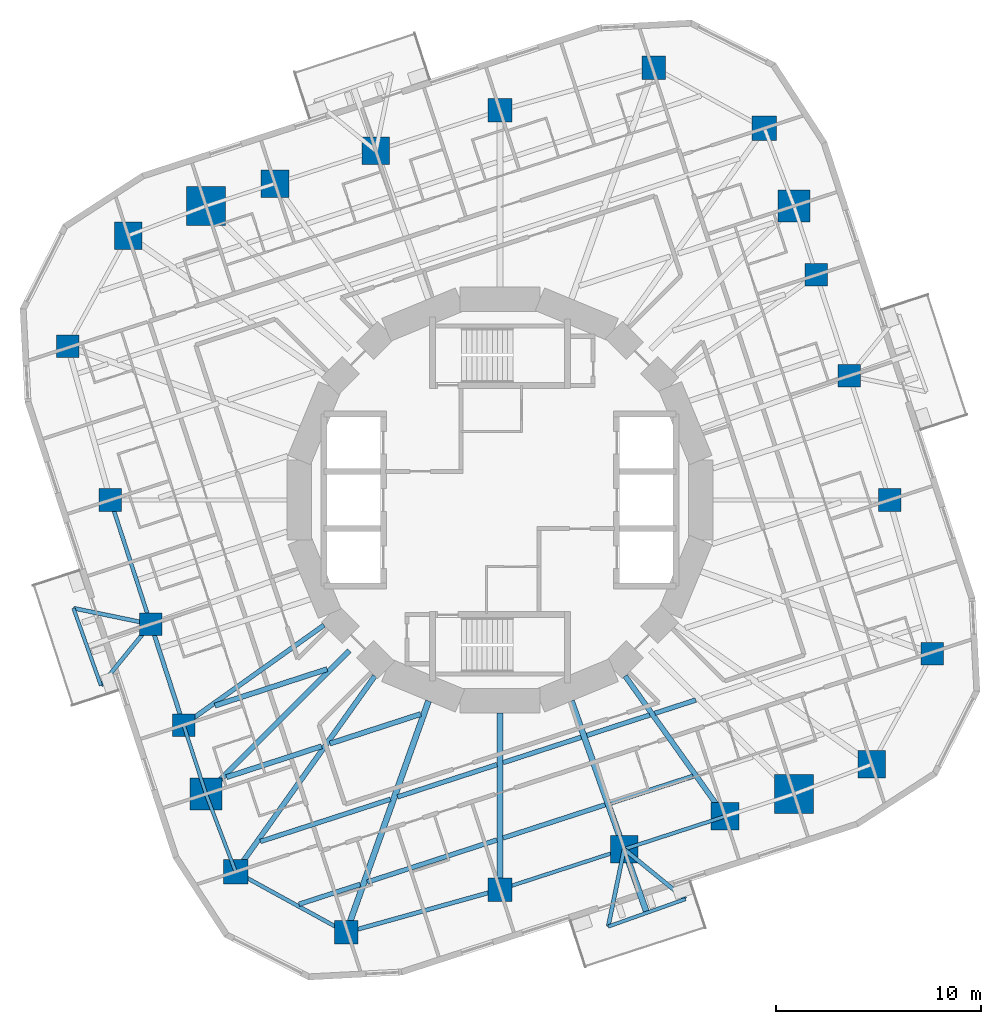
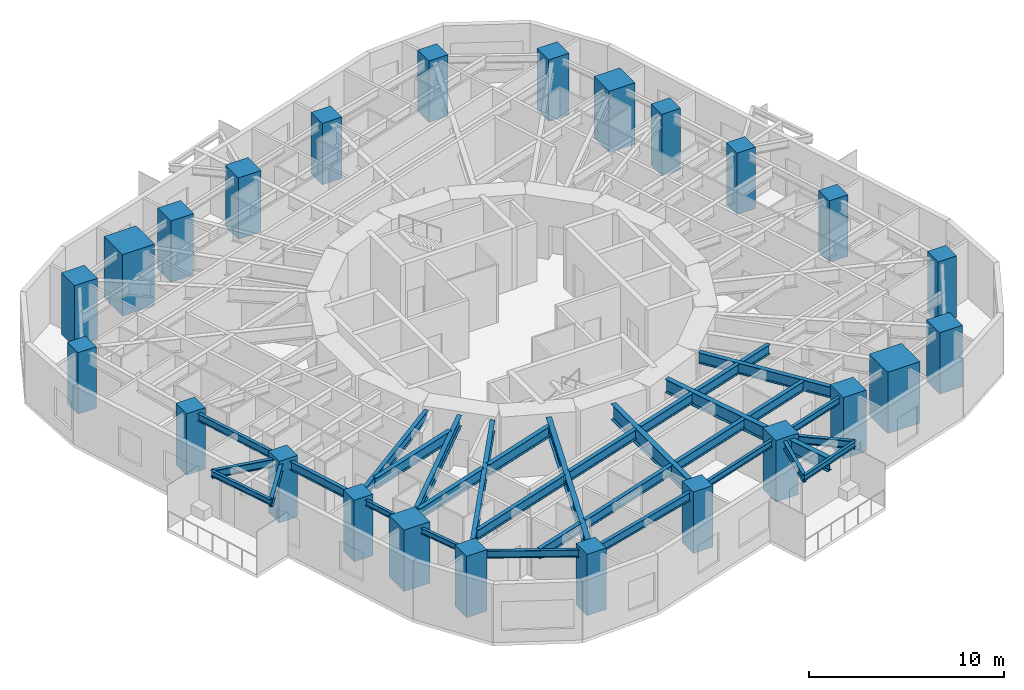
# One storey, part 1 of 13: 33 beams, 24 columns.
"""IFC4 building model written with IfcOpenShell, lengths in metres."""

from ifc_helpers import new_model, si_unit, direction, frame, origin, origin_2d, place, context, subcontext, project, spatial, rectangle, i_section, extrude, material, material_profile, profile_set, type_object, element, save


model = new_model("IFC4")

# Units and contexts
model_context = context("Model", 3, precision=1e-05, world=origin(), true_north=direction((0.0, 1.0)))
body_context = subcontext(model_context, "Body", "Model", "MODEL_VIEW")
ifc_project = project(units=[si_unit("LENGTHUNIT", "METRE"), si_unit("AREAUNIT", "SQUARE_METRE"), si_unit("VOLUMEUNIT", "CUBIC_METRE"), si_unit("PLANEANGLEUNIT", "RADIAN"), si_unit("MASSUNIT", "GRAM", prefix="KILO")], contexts=[model_context])

# Site, building, storey
site_placement = place(None, origin())
site = spatial("IfcSite", under=ifc_project, at=site_placement, CompositionType="ELEMENT")
building_placement = place(site_placement, origin())
building = spatial("IfcBuilding", under=site, at=building_placement, Name="Nakasero Lantern House", CompositionType="ELEMENT")
storey_placement = place(building_placement, frame((0.0, 0.0, 157.199951171875)))
storey = spatial("IfcBuildingStorey", under=building, at=storey_placement, Name="L38", CompositionType="ELEMENT", Elevation=157.199951171875)

# Columns
ifc_material_1 = material(Name="Concrete C50/60", Category="concrete")
ifc_material_profile_1 = material_profile(ifc_material_1, rectangle(XDim=1.550048828125, YDim=1.550048828125, at=origin_2d()), Name="RC 1550x1550")
ifc_profile_set_1 = profile_set([ifc_material_profile_1], Name="Concrete C50/60")
column_type_1 = type_object("IfcColumnType", Name="Mega column RC 1550x1550 C50/60", PredefinedType="COLUMN", material=ifc_profile_set_1)
for number, where, z_axis, x_axis, name in (
    (1, (14.3642578125, 14.3642578125, 0.0), (0.0, 0.0, 1.0), (1.0, 0.0, 0.0), "Column B4-C06 L38"),
    (2, (-14.3642578125, -14.3642578125, 0.0), (0.0, 0.0, 1.0), (1.0, 0.0, 0.0), "Column B4-C18 L38"),
):
    element("IfcColumn", number, at=place(storey_placement, frame(where, z_axis=z_axis, x_axis=x_axis)), inside=storey, type_object=column_type_1, Name=name, PredefinedType="COLUMN", context=body_context, shape_type="SweptSolid", body=[
        extrude(rectangle(XDim=1.550048828125, YDim=1.550048828125, at=origin_2d()), origin(), (0.0, 0.0, 1.0), 3.85009765625),
    ])
ifc_material_2 = material(Name="Concrete C50/60", Category="concrete")
ifc_material_profile_2 = material_profile(ifc_material_2, rectangle(XDim=1.89990234375, YDim=1.89990234375, at=origin_2d()), Name="RC 1900x1900")
ifc_profile_set_2 = profile_set([ifc_material_profile_2], Name="Concrete C50/60")
column_type_2 = type_object("IfcColumnType", Name="Mega column RC 1900x1900 C50/60", PredefinedType="COLUMN", material=ifc_profile_set_2)
for number, where, z_axis, x_axis, name in (
    (3, (-14.3642578125, 14.3642578125, 0.0), (0.0, 0.0, 1.0), (1.0, 0.0, 0.0), "Column B4-C12 L38"),
    (4, (14.3642578125, -14.3642578125, 0.0), (0.0, 0.0, 1.0), (1.0, 0.0, 0.0), "Column B4-C24 L38"),
):
    element("IfcColumn", number, at=place(storey_placement, frame(where, z_axis=z_axis, x_axis=x_axis)), inside=storey, type_object=column_type_2, Name=name, PredefinedType="COLUMN", context=body_context, shape_type="SweptSolid", body=[
        extrude(rectangle(XDim=1.89990234375, YDim=1.89990234375, at=origin_2d()), origin(), (0.0, 0.0, 1.0), 3.85009765625),
    ])
ifc_material_3 = material(Name="Concrete C50/60", Category="concrete")
ifc_material_profile_3 = material_profile(ifc_material_3, rectangle(XDim=1.10009765625, YDim=1.10009765625, at=origin_2d()), Name="RC 1100x1100")
ifc_profile_set_3 = profile_set([ifc_material_profile_3], Name="Concrete C50/60")
column_type_3 = type_object("IfcColumnType", Name="Ring column RC 1100x1100 C50/60", PredefinedType="COLUMN", material=ifc_profile_set_3)
for number, where, z_axis, x_axis, name in (
    (5, (21.129638671875, -7.5126953125, 0.0), (0.0, 0.0, 1.0), (1.0, 0.0, 0.0), "Column B4-C02 L38"),
    (6, (19.031494140625, 0.0, 0.0), (0.0, 0.0, 1.0), (1.0, 0.0, 0.0), "Column B4-C03 L38"),
    (7, (17.060546875, 6.06591796875, 0.0), (0.0, 0.0, 1.0), (1.0, 0.0, 0.0), "Column B4-C04 L38"),
    (8, (15.45947265625, 10.993408203125, 0.0), (0.0, 0.0, 1.0), (1.0, 0.0, 0.0), "Column B4-C05 L38"),
    (9, (-21.129638671875, 7.5126953125, 0.0), (0.0, 0.0, 1.0), (1.0, 0.0, 0.0), "Column B4-C14 L38"),
    (10, (-19.031494140625, 0.0, 0.0), (0.0, 0.0, 1.0), (1.0, 0.0, 0.0), "Column B4-C15 L38"),
    (11, (-17.060546875, -6.06591796875, 0.0), (0.0, 0.0, 1.0), (1.0, 0.0, 0.0), "Column B4-C16 L38"),
    (12, (-15.45947265625, -10.993408203125, 0.0), (0.0, 0.0, 1.0), (1.0, 0.0, 0.0), "Column B4-C17 L38"),
):
    element("IfcColumn", number, at=place(storey_placement, frame(where, z_axis=z_axis, x_axis=x_axis)), inside=storey, type_object=column_type_3, Name=name, PredefinedType="COLUMN", context=body_context, shape_type="SweptSolid", body=[
        extrude(rectangle(XDim=1.10009765625, YDim=1.10009765625, at=origin_2d()), origin(), (0.0, 0.0, 1.0), 3.85009765625),
    ])
ifc_material_4 = material(Name="Concrete C50/60", Category="concrete")
ifc_material_profile_4 = material_profile(ifc_material_4, rectangle(XDim=1.14990234375, YDim=1.14990234375, at=origin_2d()), Name="RC 1150x1150")
ifc_profile_set_4 = profile_set([ifc_material_profile_4], Name="Concrete C50/60")
column_type_4 = type_object("IfcColumnType", Name="Ring column RC 1150x1150 C50/60", PredefinedType="COLUMN", material=ifc_profile_set_4)
for number, where, z_axis, x_axis, name in (
    (13, (7.5126953125, 21.129638671875, 0.0), (0.0, 0.0, 1.0), (1.0, 0.0, 0.0), "Column B4-C08 L38"),
    (14, (0.0, 19.031494140625, 0.0), (0.0, 0.0, 1.0), (1.0, 0.0, 0.0), "Column B4-C09 L38"),
    (15, (-7.5126953125, -21.129638671875, 0.0), (0.0, 0.0, 1.0), (1.0, 0.0, 0.0), "Column B4-C20 L38"),
    (16, (0.0, -19.031494140625, 0.0), (0.0, 0.0, 1.0), (1.0, 0.0, 0.0), "Column B4-C21 L38"),
):
    element("IfcColumn", number, at=place(storey_placement, frame(where, z_axis=z_axis, x_axis=x_axis)), inside=storey, type_object=column_type_4, Name=name, PredefinedType="COLUMN", context=body_context, shape_type="SweptSolid", body=[
        extrude(rectangle(XDim=1.14990234375, YDim=1.14990234375, at=origin_2d()), origin(), (0.0, 0.0, 1.0), 3.85009765625),
    ])
ifc_material_5 = material(Name="Concrete C50/60", Category="concrete")
ifc_material_profile_5 = material_profile(ifc_material_5, rectangle(XDim=1.199951171875, YDim=1.199951171875, at=origin_2d()), Name="RC 1200x1200")
ifc_profile_set_5 = profile_set([ifc_material_profile_5], Name="Concrete C50/60")
column_type_5 = type_object("IfcColumnType", Name="Ring column RC 1200x1200 C50/60", PredefinedType="COLUMN", material=ifc_profile_set_5)
for number, where, z_axis, x_axis, name in (
    (17, (12.916015625, 18.1630859375, 0.0), (0.0, 0.0, 1.0), (1.0, 0.0, 0.0), "Column B4-C07 L38"),
    (18, (-12.916015625, -18.1630859375, 0.0), (0.0, 0.0, 1.0), (1.0, 0.0, 0.0), "Column B4-C19 L38"),
):
    element("IfcColumn", number, at=place(storey_placement, frame(where, z_axis=z_axis, x_axis=x_axis)), inside=storey, type_object=column_type_5, Name=name, PredefinedType="COLUMN", context=body_context, shape_type="SweptSolid", body=[
        extrude(rectangle(XDim=1.199951171875, YDim=1.199951171875, at=origin_2d()), origin(), (0.0, 0.0, 1.0), 3.85009765625),
    ])
ifc_material_6 = material(Name="Concrete C50/60", Category="concrete")
ifc_material_profile_6 = material_profile(ifc_material_6, rectangle(XDim=1.35009765625, YDim=1.35009765625, at=origin_2d()), Name="RC 1350x1350")
ifc_profile_set_6 = profile_set([ifc_material_profile_6], Name="Concrete C50/60")
column_type_6 = type_object("IfcColumnType", Name="Ring column RC 1350x1350 C50/60", PredefinedType="COLUMN", material=ifc_profile_set_6)
for number, where, z_axis, x_axis, name in (
    (19, (18.1630859375, -12.916015625, 0.0), (0.0, 0.0, 1.0), (1.0, 0.0, 0.0), "Column B4-C01 L38"),
    (20, (-6.06591796875, 17.060546875, 0.0), (0.0, 0.0, 1.0), (1.0, 0.0, 0.0), "Column B4-C10 L38"),
    (21, (-10.993408203125, 15.45947265625, 0.0), (0.0, 0.0, 1.0), (1.0, 0.0, 0.0), "Column B4-C11 L38"),
    (22, (-18.1630859375, 12.916015625, 0.0), (0.0, 0.0, 1.0), (1.0, 0.0, 0.0), "Column B4-C13 L38"),
    (23, (6.06591796875, -17.060546875, 0.0), (0.0, 0.0, 1.0), (1.0, 0.0, 0.0), "Column B4-C22 L38"),
    (24, (10.993408203125, -15.45947265625, 0.0), (0.0, 0.0, 1.0), (1.0, 0.0, 0.0), "Column B4-C23 L38"),
):
    element("IfcColumn", number, at=place(storey_placement, frame(where, z_axis=z_axis, x_axis=x_axis)), inside=storey, type_object=column_type_6, Name=name, PredefinedType="COLUMN", context=body_context, shape_type="SweptSolid", body=[
        extrude(rectangle(XDim=1.35009765625, YDim=1.35009765625, at=origin_2d()), origin(), (0.0, 0.0, 1.0), 3.85009765625),
    ])

# Beams
ifc_material_7 = material(Name="Steel S355", Category="steel")
ifc_material_profile_7 = material_profile(ifc_material_7, i_section(OverallWidth=0.199462890625, OverallDepth=0.491943359375, WebThickness=0.01806640625, FlangeThickness=0.031982421875, FilletRadius=0.01025390625, at=origin_2d()), Name="UB 457x191x161")
ifc_profile_set_7 = profile_set([ifc_material_profile_7], Name="Steel S355")
beam_type_1 = type_object("IfcBeamType", Name="Balcony splay beam UB 457x191x161", PredefinedType="BEAM", material=ifc_profile_set_7)
for number, where, z_axis, x_axis, name in (
    (25, (-17.060546875, -6.06591796875, 3.404052734375), (-0.632127727159, -0.774864205236, 0.0), (0.774864205236, -0.632127727159, 0.0), "Balcony splay beam L39 B4-C16A"),
    (26, (-17.060546875, -6.06591796875, 3.404052734375), (-0.979420272605, 0.201831438605, 0.0), (-0.201831438605, -0.979420272605, 0.0), "Balcony splay beam L39 B4-C16B"),
    (27, (6.06591796875, -17.060546875, 3.404052734375), (0.774864205236, -0.632127727159, 0.0), (0.632127727159, 0.774864205236, 0.0), "Balcony splay beam L39 B4-C22A"),
    (28, (6.06591796875, -17.060546875, 3.404052734375), (-0.201831438605, -0.979420272605, 0.0), (0.979420272605, -0.201831438605, 0.0), "Balcony splay beam L39 B4-C22B"),
):
    element("IfcBeam", number, at=place(storey_placement, frame(where, z_axis=z_axis, x_axis=x_axis)), inside=storey, type_object=beam_type_1, Name=name, PredefinedType="BEAM", context=body_context, shape_type="SweptSolid", body=[
        extrude(i_section(OverallWidth=0.199462890625, OverallDepth=0.491943359375, WebThickness=0.01806640625, FlangeThickness=0.031982421875, FilletRadius=0.01025390625, at=origin_2d()), origin(), (0.0, 0.0, 1.0), 3.858642578125),
    ])
ifc_material_8 = material(Name="Steel S355", Category="steel")
ifc_material_profile_8 = material_profile(ifc_material_8, i_section(OverallWidth=0.17138671875, OverallDepth=0.35498046875, WebThickness=0.00732421875, FlangeThickness=0.011474609375, FilletRadius=0.01025390625, at=origin_2d()), Name="UB 356x171x51")
ifc_profile_set_8 = profile_set([ifc_material_profile_8], Name="Steel S355")
beam_type_2 = type_object("IfcBeamType", Name="Balcony tie beam UB 356x171x51", PredefinedType="BEAM", material=ifc_profile_set_8)
for number, where, z_axis, x_axis, name in (
    (29, (-19.499755859375, -9.055908203125, 3.47265625), (-0.335025321236, 0.942209124415, 0.0), (-0.942209124415, -0.335025321236, 0.0), "Balcony tie beam L39 B4-C16"),
    (30, (9.055908203125, -19.499755859375, 3.47265625), (-0.942209124415, -0.335025321236, 0.0), (0.335025321236, -0.942209124415, 0.0), "Balcony tie beam L39 B4-C22"),
):
    element("IfcBeam", number, at=place(storey_placement, frame(where, z_axis=z_axis, x_axis=x_axis)), inside=storey, type_object=beam_type_2, Name=name, PredefinedType="BEAM", context=body_context, shape_type="SweptSolid", body=[
        extrude(i_section(OverallWidth=0.17138671875, OverallDepth=0.35498046875, WebThickness=0.00732421875, FlangeThickness=0.011474609375, FilletRadius=0.01025390625, at=origin_2d()), origin(), (0.0, 0.0, 1.0), 4.0),
    ])
ifc_material_9 = material(Name="Steel S355", Category="steel")
ifc_material_profile_9 = material_profile(ifc_material_9, i_section(OverallWidth=0.22900390625, OverallDepth=0.6123046875, WebThickness=0.011962890625, FlangeThickness=0.01953125, FilletRadius=0.0126953125, at=origin_2d()), Name="UB 610x229x125")
ifc_profile_set_9 = profile_set([ifc_material_profile_9], Name="Steel S355")
beam_type_3 = type_object("IfcBeamType", Name="Infill beam UB 610x229x125", PredefinedType="JOIST", material=ifc_profile_set_9)
beam_1_placement = place(storey_placement, frame((-9.823974609375, -19.75244140625, 3.343994140625), z_axis=(0.951054602662, 0.309022883872, 0.0), x_axis=(-0.309022883872, 0.951054602662, 0.0)))
element("IfcBeam", 31, at=beam_1_placement, inside=storey, type_object=beam_type_3, Name="Infill beam L39 03.1", PredefinedType="JOIST", context=body_context, shape_type="SweptSolid", body=[
    extrude(i_section(OverallWidth=0.22900390625, OverallDepth=0.6123046875, WebThickness=0.011962890625, FlangeThickness=0.01953125, FilletRadius=0.0126953125, at=origin_2d()), origin(), (0.0, 0.0, 1.0), 3.145263671875),
])
beam_2_placement = place(storey_placement, frame((-6.48193359375, -18.66650390625, 3.343994140625), z_axis=(0.951068556075, 0.308979937287, 0.0), x_axis=(-0.308979937287, 0.951068556075, 0.0)))
element("IfcBeam", 32, at=beam_2_placement, inside=storey, type_object=beam_type_3, Name="Infill beam L39 03.2", PredefinedType="JOIST", context=body_context, shape_type="SweptSolid", body=[
    extrude(i_section(OverallWidth=0.22900390625, OverallDepth=0.6123046875, WebThickness=0.011962890625, FlangeThickness=0.01953125, FilletRadius=0.0126953125, at=origin_2d()), origin(), (0.0, 0.0, 1.0), 6.65771484375),
])
beam_3_placement = place(storey_placement, frame((0.14990234375, -16.51171875, 3.343994140625), z_axis=(0.951061765699, 0.309000837904, 0.0), x_axis=(-0.309000837904, 0.951061765699, 0.0)))
element("IfcBeam", 33, at=beam_3_placement, inside=storey, type_object=beam_type_3, Name="Infill beam L39 03.3", PredefinedType="JOIST", context=body_context, shape_type="SweptSolid", body=[
    extrude(i_section(OverallWidth=0.22900390625, OverallDepth=0.6123046875, WebThickness=0.011962890625, FlangeThickness=0.01953125, FilletRadius=0.0126953125, at=origin_2d()), origin(), (0.0, 0.0, 1.0), 5.246337890625),
])
beam_4_placement = place(storey_placement, frame((5.41748046875, -14.80029296875, 3.343994140625), z_axis=(0.951057398427, 0.30901427944, 0.0), x_axis=(-0.30901427944, 0.951057398427, 0.0)))
element("IfcBeam", 34, at=beam_4_placement, inside=storey, type_object=beam_type_3, Name="Infill beam L39 03.4", PredefinedType="JOIST", context=body_context, shape_type="SweptSolid", body=[
    extrude(i_section(OverallWidth=0.22900390625, OverallDepth=0.6123046875, WebThickness=0.011962890625, FlangeThickness=0.01953125, FilletRadius=0.0126953125, at=origin_2d()), origin(), (0.0, 0.0, 1.0), 4.229248046875),
])
beam_5_placement = place(storey_placement, frame((-11.709228515625, -16.68505859375, 3.343994140625), z_axis=(0.951056080098, 0.30901833685, 0.0), x_axis=(-0.30901833685, 0.951056080098, 0.0)))
element("IfcBeam", 35, at=beam_5_placement, inside=storey, type_object=beam_type_3, Name="Infill beam L39 04.1", PredefinedType="JOIST", context=body_context, shape_type="SweptSolid", body=[
    extrude(i_section(OverallWidth=0.22900390625, OverallDepth=0.6123046875, WebThickness=0.011962890625, FlangeThickness=0.01953125, FilletRadius=0.0126953125, at=origin_2d()), origin(), (0.0, 0.0, 1.0), 6.68310546875),
])
beam_6_placement = place(storey_placement, frame((-5.00244140625, -14.505859375, 3.343994140625), z_axis=(0.951057977144, 0.309012498309, 0.0), x_axis=(-0.309012498309, 0.951057977144, 0.0)))
element("IfcBeam", 36, at=beam_6_placement, inside=storey, type_object=beam_type_3, Name="Infill beam L39 04.2", PredefinedType="JOIST", context=body_context, shape_type="SweptSolid", body=[
    extrude(i_section(OverallWidth=0.22900390625, OverallDepth=0.6123046875, WebThickness=0.011962890625, FlangeThickness=0.01953125, FilletRadius=0.0126953125, at=origin_2d()), origin(), (0.0, 0.0, 1.0), 5.102294921875),
])
beam_7_placement = place(storey_placement, frame((0.14990234375, -12.831787109375, 3.343994140625), z_axis=(0.95105910343, 0.309009031878, 0.0), x_axis=(-0.309009031878, 0.95105910343, 0.0)))
element("IfcBeam", 37, at=beam_7_placement, inside=storey, type_object=beam_type_3, Name="Infill beam L39 04.3", PredefinedType="JOIST", context=body_context, shape_type="SweptSolid", body=[
    extrude(i_section(OverallWidth=0.22900390625, OverallDepth=0.6123046875, WebThickness=0.011962890625, FlangeThickness=0.01953125, FilletRadius=0.0126953125, at=origin_2d()), origin(), (0.0, 0.0, 1.0), 4.0126953125),
])
beam_8_placement = place(storey_placement, frame((4.24462890625, -11.501220703125, 3.343994140625), z_axis=(0.951054080044, 0.309024492283, 0.0), x_axis=(-0.309024492283, 0.951054080044, 0.0)))
element("IfcBeam", 38, at=beam_8_placement, inside=storey, type_object=beam_type_3, Name="Infill beam L39 04.4", PredefinedType="JOIST", context=body_context, shape_type="SweptSolid", body=[
    extrude(i_section(OverallWidth=0.22900390625, OverallDepth=0.6123046875, WebThickness=0.011962890625, FlangeThickness=0.01953125, FilletRadius=0.0126953125, at=origin_2d()), origin(), (0.0, 0.0, 1.0), 3.227294921875),
])
beam_9_placement = place(storey_placement, frame((7.566650390625, -10.421875, 3.343994140625), z_axis=(0.951053739923, 0.30902553904, 0.0), x_axis=(-0.30902553904, 0.951053739923, 0.0)))
element("IfcBeam", 39, at=beam_9_placement, inside=storey, type_object=beam_type_3, Name="Infill beam L39 04.5", PredefinedType="JOIST", context=body_context, shape_type="SweptSolid", body=[
    extrude(i_section(OverallWidth=0.22900390625, OverallDepth=0.6123046875, WebThickness=0.011962890625, FlangeThickness=0.01953125, FilletRadius=0.0126953125, at=origin_2d()), origin(), (0.0, 0.0, 1.0), 2.09765625),
])
ifc_material_10 = material(Name="Steel S355", Category="steel")
ifc_material_profile_10 = material_profile(ifc_material_10, i_section(OverallWidth=0.253662109375, OverallDepth=0.68359375, WebThickness=0.012451171875, FlangeThickness=0.01904296875, FilletRadius=0.01513671875, at=origin_2d()), Name="UB 686x254x140")
ifc_profile_set_10 = profile_set([ifc_material_profile_10], Name="Steel S355")
beam_type_4 = type_object("IfcBeamType", Name="Infill beam UB 686x254x140", PredefinedType="JOIST", material=ifc_profile_set_10)
beam_10_placement = place(storey_placement, frame((-13.36279296875, -13.5419921875, 3.308349609375), z_axis=(0.951061574069, 0.309001427713, 0.0), x_axis=(-0.309001427713, 0.951061574069, 0.0)))
element("IfcBeam", 40, at=beam_10_placement, inside=storey, type_object=beam_type_4, Name="Infill beam L39 05.1", PredefinedType="JOIST", context=body_context, shape_type="SweptSolid", body=[
    extrude(i_section(OverallWidth=0.253662109375, OverallDepth=0.68359375, WebThickness=0.012451171875, FlangeThickness=0.01904296875, FilletRadius=0.01513671875, at=origin_2d()), origin(), (0.0, 0.0, 1.0), 4.8916015625),
])
beam_11_placement = place(storey_placement, frame((-8.305908203125, -11.89892578125, 3.308349609375), z_axis=(0.95106063111, 0.309004329989, 0.0), x_axis=(-0.309004329989, 0.95106063111, 0.0)))
element("IfcBeam", 41, at=beam_11_placement, inside=storey, type_object=beam_type_4, Name="Infill beam L39 05.2", PredefinedType="JOIST", context=body_context, shape_type="SweptSolid", body=[
    extrude(i_section(OverallWidth=0.253662109375, OverallDepth=0.68359375, WebThickness=0.012451171875, FlangeThickness=0.01904296875, FilletRadius=0.01513671875, at=origin_2d()), origin(), (0.0, 0.0, 1.0), 4.659912109375),
])
beam_12_placement = place(storey_placement, frame((-13.93017578125, -10.04638671875, 3.308349609375), z_axis=(0.951055211673, 0.309021009559, 0.0), x_axis=(-0.309021009559, 0.951055211673, 0.0)))
element("IfcBeam", 42, at=beam_12_placement, inside=storey, type_object=beam_type_4, Name="Infill beam L39 06.1", PredefinedType="JOIST", context=body_context, shape_type="SweptSolid", body=[
    extrude(i_section(OverallWidth=0.253662109375, OverallDepth=0.68359375, WebThickness=0.012451171875, FlangeThickness=0.01904296875, FilletRadius=0.01513671875, at=origin_2d()), origin(), (0.0, 0.0, 1.0), 5.769775390625),
])
ifc_material_11 = material(Name="Steel S355", Category="steel")
ifc_material_profile_11 = material_profile(ifc_material_11, i_section(OverallWidth=0.300048828125, OverallDepth=0.989990234375, WebThickness=0.0166015625, FlangeThickness=0.031005859375, FilletRadius=0.030029296875, at=origin_2d()), Name="UB 1016x305x272")
ifc_profile_set_11 = profile_set([ifc_material_profile_11], Name="Steel S355")
beam_type_5 = type_object("IfcBeamType", Name="Primary beam UB 1016x305x272, span 6 to 9 m", PredefinedType="BEAM", material=ifc_profile_set_11)
beam_13_placement = place(storey_placement, frame((0.0, -19.031494140625, 3.155029296875), z_axis=(0.0, 1.0, 0.0), x_axis=(-1.0, 0.0, 0.0)))
element("IfcBeam", 43, at=beam_13_placement, inside=storey, type_object=beam_type_5, Name="Primary beam L39 B4-C21", PredefinedType="BEAM", context=body_context, shape_type="SweptSolid", body=[
    extrude(i_section(OverallWidth=0.300048828125, OverallDepth=0.989990234375, WebThickness=0.0166015625, FlangeThickness=0.031005859375, FilletRadius=0.030029296875, at=origin_2d()), origin(), (0.0, 0.0, 1.0), 8.62353515625),
])
ifc_material_12 = material(Name="Steel S355", Category="steel")
ifc_material_profile_12 = material_profile(ifc_material_12, i_section(OverallWidth=0.22900390625, OverallDepth=0.6123046875, WebThickness=0.011962890625, FlangeThickness=0.01953125, FilletRadius=0.0126953125, at=origin_2d()), Name="UB 610x229x125")
ifc_profile_set_12 = profile_set([ifc_material_profile_12], Name="Steel S355")
beam_type_6 = type_object("IfcBeamType", Name="Primary beam UB 610x229x125, span 6 to 9 m", PredefinedType="BEAM", material=ifc_profile_set_12)
beam_14_placement = place(storey_placement, frame((-15.45947265625, -10.993408203125, 3.343994140625), z_axis=(0.81495106139, 0.579529781409, 0.0), x_axis=(-0.579529781409, 0.81495106139, 0.0)))
element("IfcBeam", 44, at=beam_14_placement, inside=storey, type_object=beam_type_6, Name="Primary beam L39 B4-C17", PredefinedType="BEAM", context=body_context, shape_type="SweptSolid", body=[
    extrude(i_section(OverallWidth=0.22900390625, OverallDepth=0.6123046875, WebThickness=0.011962890625, FlangeThickness=0.01953125, FilletRadius=0.0126953125, at=origin_2d()), origin(), (0.0, 0.0, 1.0), 8.41455078125),
])
ifc_material_13 = material(Name="Steel S355", Category="steel")
ifc_material_profile_13 = material_profile(ifc_material_13, i_section(OverallWidth=0.253662109375, OverallDepth=0.68359375, WebThickness=0.012451171875, FlangeThickness=0.01904296875, FilletRadius=0.01513671875, at=origin_2d()), Name="UB 686x254x140")
ifc_profile_set_13 = profile_set([ifc_material_profile_13], Name="Steel S355")
beam_type_7 = type_object("IfcBeamType", Name="Primary beam UB 686x254x140, span 6 to 9 m", PredefinedType="BEAM", material=ifc_profile_set_13)
beam_15_placement = place(storey_placement, frame((10.993408203125, -15.45947265625, 3.308349609375), z_axis=(-0.579529781409, 0.81495106139, 0.0), x_axis=(-0.81495106139, -0.579529781409, 0.0)))
element("IfcBeam", 45, at=beam_15_placement, inside=storey, type_object=beam_type_7, Name="Primary beam L39 B4-C23", PredefinedType="BEAM", context=body_context, shape_type="SweptSolid", body=[
    extrude(i_section(OverallWidth=0.253662109375, OverallDepth=0.68359375, WebThickness=0.012451171875, FlangeThickness=0.01904296875, FilletRadius=0.01513671875, at=origin_2d()), origin(), (0.0, 0.0, 1.0), 8.41455078125),
])
ifc_material_14 = material(Name="Steel S355", Category="steel")
ifc_material_profile_14 = material_profile(ifc_material_14, i_section(OverallWidth=0.253662109375, OverallDepth=0.68359375, WebThickness=0.012451171875, FlangeThickness=0.01904296875, FilletRadius=0.01513671875, at=origin_2d()), Name="UB 686x254x140")
ifc_profile_set_14 = profile_set([ifc_material_profile_14], Name="Steel S355")
beam_type_8 = type_object("IfcBeamType", Name="Primary beam UB 686x254x140, span 9 to 12 m", PredefinedType="BEAM", material=ifc_profile_set_14)
beam_16_placement = place(storey_placement, frame((-14.3642578125, -14.3642578125, 3.308349609375), z_axis=(0.707106781187, 0.707106781187, 0.0), x_axis=(-0.707106781187, 0.707106781187, 0.0)))
element("IfcBeam", 46, at=beam_16_placement, inside=storey, type_object=beam_type_8, Name="Primary beam L39 B4-C18", PredefinedType="BEAM", context=body_context, shape_type="SweptSolid", body=[
    extrude(i_section(OverallWidth=0.253662109375, OverallDepth=0.68359375, WebThickness=0.012451171875, FlangeThickness=0.01904296875, FilletRadius=0.01513671875, at=origin_2d()), origin(), (0.0, 0.0, 1.0), 9.906494140625),
])
beam_17_placement = place(storey_placement, frame((-12.916015625, -18.1630859375, 3.308349609375), z_axis=(0.579530236062, 0.814950738075, 0.0), x_axis=(-0.814950738075, 0.579530236062, 0.0)))
element("IfcBeam", 47, at=beam_17_placement, inside=storey, type_object=beam_type_8, Name="Primary beam L39 B4-C19", PredefinedType="BEAM", context=body_context, shape_type="SweptSolid", body=[
    extrude(i_section(OverallWidth=0.253662109375, OverallDepth=0.68359375, WebThickness=0.012451171875, FlangeThickness=0.01904296875, FilletRadius=0.01513671875, at=origin_2d()), origin(), (0.0, 0.0, 1.0), 11.73193359375),
])
ifc_material_15 = material(Name="Steel S355", Category="steel")
ifc_material_profile_15 = material_profile(ifc_material_15, i_section(OverallWidth=0.29248046875, OverallDepth=0.8408203125, WebThickness=0.0146484375, FlangeThickness=0.02685546875, FilletRadius=0.017822265625, at=origin_2d()), Name="UB 838x292x194")
ifc_profile_set_15 = profile_set([ifc_material_profile_15], Name="Steel S355")
beam_type_9 = type_object("IfcBeamType", Name="Primary beam UB 838x292x194, span 12 to 15 m", PredefinedType="BEAM", material=ifc_profile_set_15)
beam_18_placement = place(storey_placement, frame((-7.5126953125, -21.129638671875, 3.229736328125), z_axis=(0.335012877559, 0.942213548974, 0.0), x_axis=(-0.942213548974, 0.335012877559, 0.0)))
element("IfcBeam", 48, at=beam_18_placement, inside=storey, type_object=beam_type_9, Name="Primary beam L39 B4-C20", PredefinedType="BEAM", context=body_context, shape_type="SweptSolid", body=[
    extrude(i_section(OverallWidth=0.29248046875, OverallDepth=0.8408203125, WebThickness=0.0146484375, FlangeThickness=0.02685546875, FilletRadius=0.017822265625, at=origin_2d()), origin(), (0.0, 0.0, 1.0), 12.00390625),
])
ifc_material_16 = material(Name="Steel S355", Category="steel")
ifc_material_profile_16 = material_profile(ifc_material_16, i_section(OverallWidth=0.29248046875, OverallDepth=0.8408203125, WebThickness=0.0146484375, FlangeThickness=0.02685546875, FilletRadius=0.017822265625, at=origin_2d()), Name="UB 838x292x194")
ifc_profile_set_16 = profile_set([ifc_material_profile_16], Name="Steel S355")
beam_type_10 = type_object("IfcBeamType", Name="Primary beam UB 838x292x194, span 6 to 9 m", PredefinedType="BEAM", material=ifc_profile_set_16)
beam_19_placement = place(storey_placement, frame((7.17138671875, -20.169921875, 3.229736328125), z_axis=(-0.335007036998, 0.942215625619, 0.0), x_axis=(-0.942215625619, -0.335007036998, 0.0)))
element("IfcBeam", 49, at=beam_19_placement, inside=storey, type_object=beam_type_10, Name="Primary beam L39 B4-C22", PredefinedType="BEAM", context=body_context, shape_type="SweptSolid", body=[
    extrude(i_section(OverallWidth=0.29248046875, OverallDepth=0.8408203125, WebThickness=0.0146484375, FlangeThickness=0.02685546875, FilletRadius=0.017822265625, at=origin_2d()), origin(), (0.0, 0.0, 1.0), 10.9853515625),
])
ifc_material_17 = material(Name="Steel S355", Category="steel")
ifc_material_profile_17 = material_profile(ifc_material_17, i_section(OverallWidth=0.17138671875, OverallDepth=0.35498046875, WebThickness=0.00732421875, FlangeThickness=0.011474609375, FilletRadius=0.01025390625, at=origin_2d()), Name="UB 356x171x51")
ifc_profile_set_17 = profile_set([ifc_material_profile_17], Name="Steel S355")
beam_type_11 = type_object("IfcBeamType", Name="Ring beam UB 356x171x51", PredefinedType="BEAM", material=ifc_profile_set_17)
beam_20_placement = place(storey_placement, frame((-15.45947265625, -10.993408203125, 3.47265625), z_axis=(0.309006636447, -0.951059881727, 0.0), x_axis=(0.951059881727, 0.309006636447, 0.0)))
element("IfcBeam", 50, at=beam_20_placement, inside=storey, type_object=beam_type_11, Name="Ring beam L39 B4-C17", PredefinedType="BEAM", context=body_context, shape_type="SweptSolid", body=[
    extrude(i_section(OverallWidth=0.17138671875, OverallDepth=0.35498046875, WebThickness=0.00732421875, FlangeThickness=0.011474609375, FilletRadius=0.01025390625, at=origin_2d()), origin(), (0.0, 0.0, 1.0), 3.544189453125),
])
beam_21_placement = place(storey_placement, frame((-14.3642578125, -14.3642578125, 3.47265625), z_axis=(0.35622505813, -0.934400186194, 0.0), x_axis=(0.934400186194, 0.35622505813, 0.0)))
element("IfcBeam", 51, at=beam_21_placement, inside=storey, type_object=beam_type_11, Name="Ring beam L39 B4-C18", PredefinedType="BEAM", context=body_context, shape_type="SweptSolid", body=[
    extrude(i_section(OverallWidth=0.17138671875, OverallDepth=0.35498046875, WebThickness=0.00732421875, FlangeThickness=0.011474609375, FilletRadius=0.01025390625, at=origin_2d()), origin(), (0.0, 0.0, 1.0), 4.0654296875),
])
ifc_material_18 = material(Name="Steel S355", Category="steel")
ifc_material_profile_18 = material_profile(ifc_material_18, i_section(OverallWidth=0.177978515625, OverallDepth=0.406494140625, WebThickness=0.0078125, FlangeThickness=0.0126953125, FilletRadius=0.01025390625, at=origin_2d()), Name="UB 406x178x60")
ifc_profile_set_18 = profile_set([ifc_material_profile_18], Name="Steel S355")
beam_type_12 = type_object("IfcBeamType", Name="Ring beam UB 406x178x60", PredefinedType="BEAM", material=ifc_profile_set_18)
beam_22_placement = place(storey_placement, frame((6.06591796875, -17.060546875, 3.44677734375), z_axis=(0.95105449754, 0.309023207396, 0.0), x_axis=(-0.309023207396, 0.95105449754, 0.0)))
element("IfcBeam", 52, at=beam_22_placement, inside=storey, type_object=beam_type_12, Name="Ring beam L39 B4-C22", PredefinedType="BEAM", context=body_context, shape_type="SweptSolid", body=[
    extrude(i_section(OverallWidth=0.177978515625, OverallDepth=0.406494140625, WebThickness=0.0078125, FlangeThickness=0.0126953125, FilletRadius=0.01025390625, at=origin_2d()), origin(), (0.0, 0.0, 1.0), 5.18115234375),
])
ifc_material_19 = material(Name="Steel S355", Category="steel")
ifc_material_profile_19 = material_profile(ifc_material_19, i_section(OverallWidth=0.179443359375, OverallDepth=0.412841796875, WebThickness=0.009521484375, FlangeThickness=0.01611328125, FilletRadius=0.01025390625, at=origin_2d()), Name="UB 406x178x74")
ifc_profile_set_19 = profile_set([ifc_material_profile_19], Name="Steel S355")
beam_type_13 = type_object("IfcBeamType", Name="Ring beam UB 406x178x74", PredefinedType="BEAM", material=ifc_profile_set_19)
beam_23_placement = place(storey_placement, frame((0.0, -19.031494140625, 3.443603515625), z_axis=(0.951056007502, 0.309018560274, 0.0), x_axis=(-0.309018560274, 0.951056007502, 0.0)))
element("IfcBeam", 53, at=beam_23_placement, inside=storey, type_object=beam_type_13, Name="Ring beam L39 B4-C21", PredefinedType="BEAM", context=body_context, shape_type="SweptSolid", body=[
    extrude(i_section(OverallWidth=0.179443359375, OverallDepth=0.412841796875, WebThickness=0.009521484375, FlangeThickness=0.01611328125, FilletRadius=0.01025390625, at=origin_2d()), origin(), (0.0, 0.0, 1.0), 6.378173828125),
])
ifc_material_20 = material(Name="Steel S355", Category="steel")
ifc_material_profile_20 = material_profile(ifc_material_20, i_section(OverallWidth=0.18994140625, OverallDepth=0.453369140625, WebThickness=0.008544921875, FlangeThickness=0.0126953125, FilletRadius=0.01025390625, at=origin_2d()), Name="UB 457x191x67")
ifc_profile_set_20 = profile_set([ifc_material_profile_20], Name="Steel S355")
beam_type_14 = type_object("IfcBeamType", Name="Ring beam UB 457x191x67", PredefinedType="BEAM", material=ifc_profile_set_20)
beam_24_placement = place(storey_placement, frame((-19.031494140625, 0.0, 3.42333984375), z_axis=(0.309018560274, -0.951056007502, 0.0), x_axis=(0.951056007502, 0.309018560274, 0.0)))
element("IfcBeam", 54, at=beam_24_placement, inside=storey, type_object=beam_type_14, Name="Ring beam L39 B4-C15", PredefinedType="BEAM", context=body_context, shape_type="SweptSolid", body=[
    extrude(i_section(OverallWidth=0.18994140625, OverallDepth=0.453369140625, WebThickness=0.008544921875, FlangeThickness=0.0126953125, FilletRadius=0.01025390625, at=origin_2d()), origin(), (0.0, 0.0, 1.0), 6.378173828125),
])
beam_25_placement = place(storey_placement, frame((-12.916015625, -18.1630859375, 3.42333984375), z_axis=(0.876576912681, -0.481261795861, 0.0), x_axis=(0.481261795861, 0.876576912681, 0.0)))
element("IfcBeam", 55, at=beam_25_placement, inside=storey, type_object=beam_type_14, Name="Ring beam L39 B4-C19", PredefinedType="BEAM", context=body_context, shape_type="SweptSolid", body=[
    extrude(i_section(OverallWidth=0.18994140625, OverallDepth=0.453369140625, WebThickness=0.008544921875, FlangeThickness=0.0126953125, FilletRadius=0.01025390625, at=origin_2d()), origin(), (0.0, 0.0, 1.0), 6.1640625),
])
ifc_material_21 = material(Name="Steel S355", Category="steel")
ifc_material_profile_21 = material_profile(ifc_material_21, i_section(OverallWidth=0.2099609375, OverallDepth=0.53662109375, WebThickness=0.0107421875, FlangeThickness=0.017333984375, FilletRadius=0.0126953125, at=origin_2d()), Name="UB 533x210x101")
ifc_profile_set_21 = profile_set([ifc_material_profile_21], Name="Steel S355")
beam_type_15 = type_object("IfcBeamType", Name="Ring beam UB 533x210x101", PredefinedType="BEAM", material=ifc_profile_set_21)
beam_26_placement = place(storey_placement, frame((-17.060546875, -6.06591796875, 3.381591796875), z_axis=(0.309023207396, -0.95105449754, 0.0), x_axis=(0.95105449754, 0.309023207396, 0.0)))
element("IfcBeam", 56, at=beam_26_placement, inside=storey, type_object=beam_type_15, Name="Ring beam L39 B4-C16", PredefinedType="BEAM", context=body_context, shape_type="SweptSolid", body=[
    extrude(i_section(OverallWidth=0.2099609375, OverallDepth=0.53662109375, WebThickness=0.0107421875, FlangeThickness=0.017333984375, FilletRadius=0.0126953125, at=origin_2d()), origin(), (0.0, 0.0, 1.0), 5.18115234375),
])
ifc_material_22 = material(Name="Steel S355", Category="steel")
ifc_material_profile_22 = material_profile(ifc_material_22, i_section(OverallWidth=0.208740234375, OverallDepth=0.5283203125, WebThickness=0.009521484375, FlangeThickness=0.01318359375, FilletRadius=0.0126953125, at=origin_2d()), Name="UB 533x210x82")
ifc_profile_set_22 = profile_set([ifc_material_profile_22], Name="Steel S355")
beam_type_16 = type_object("IfcBeamType", Name="Ring beam UB 533x210x82", PredefinedType="BEAM", material=ifc_profile_set_22)
beam_27_placement = place(storey_placement, frame((-7.5126953125, -21.129638671875, 3.385986328125), z_axis=(0.963143892339, 0.268986696047, 0.0), x_axis=(-0.268986696047, 0.963143892339, 0.0)))
element("IfcBeam", 57, at=beam_27_placement, inside=storey, type_object=beam_type_16, Name="Ring beam L39 B4-C20", PredefinedType="BEAM", context=body_context, shape_type="SweptSolid", body=[
    extrude(i_section(OverallWidth=0.208740234375, OverallDepth=0.5283203125, WebThickness=0.009521484375, FlangeThickness=0.01318359375, FilletRadius=0.0126953125, at=origin_2d()), origin(), (0.0, 0.0, 1.0), 7.80029296875),
])

save(model, "model.ifc")
